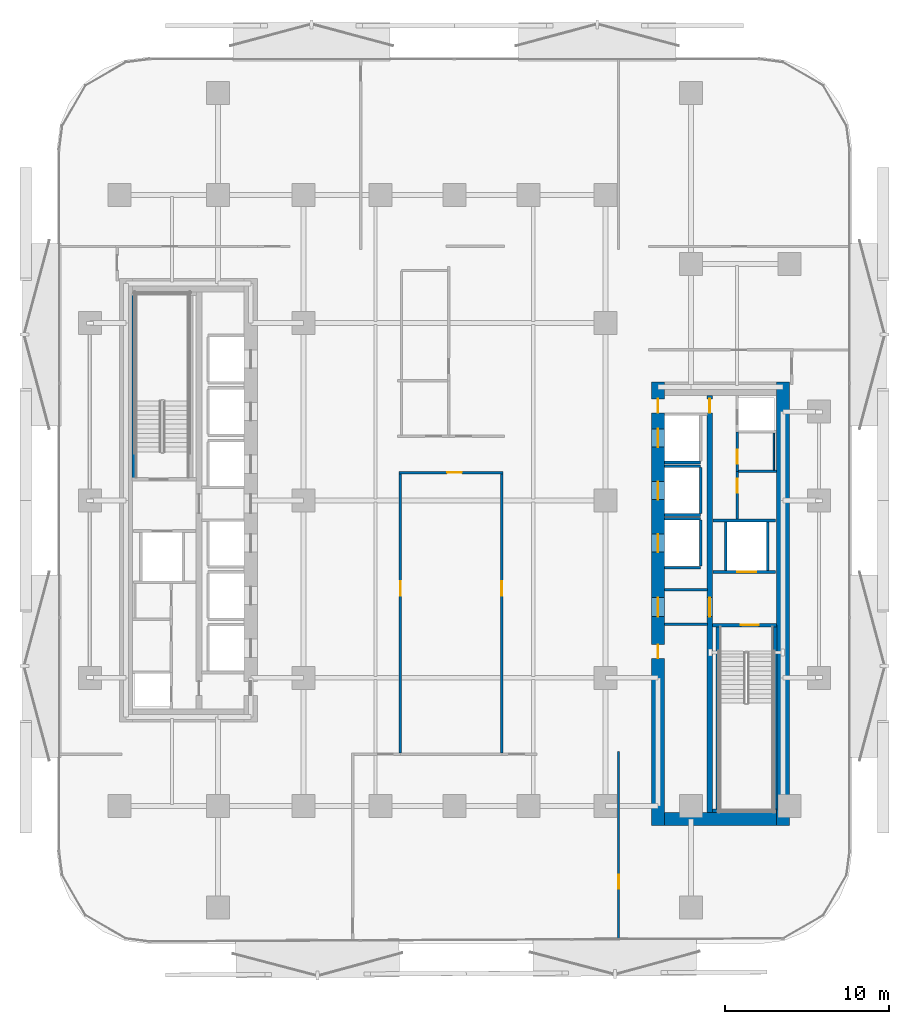
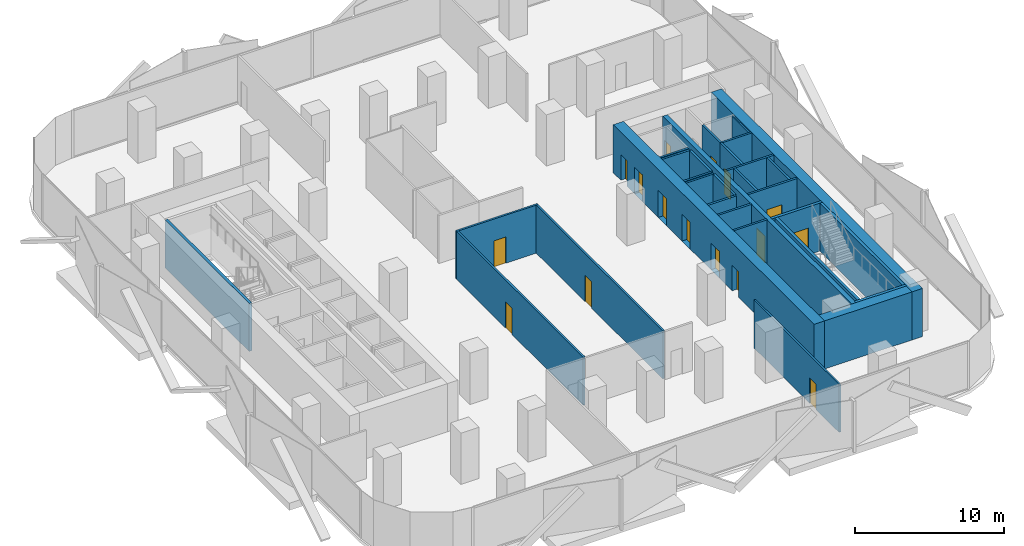
# One storey, part 4 of 15: 30 walls, 16 doors, 16 openings.
"""IFC4 building model written with IfcOpenShell, lengths in metres."""

from ifc_helpers import new_model, si_unit, direction, frame, frame_2d, origin, place, context, subcontext, project, spatial, rectangle, extrude, material, layer, layer_set, type_object, element, fill, save


model = new_model("IFC4")

# Units and contexts
model_context = context("Model", 3, precision=1e-05, world=origin(), true_north=direction((0.0, 1.0)))
body_context = subcontext(model_context, "Body", "Model", "MODEL_VIEW")
ifc_project = project(units=[si_unit("LENGTHUNIT", "METRE"), si_unit("AREAUNIT", "SQUARE_METRE"), si_unit("VOLUMEUNIT", "CUBIC_METRE"), si_unit("PLANEANGLEUNIT", "RADIAN"), si_unit("MASSUNIT", "GRAM", prefix="KILO")], contexts=[model_context])

# Site, building, storey
site_placement = place(None, origin())
site = spatial("IfcSite", under=ifc_project, at=site_placement, CompositionType="ELEMENT")
building_placement = place(site_placement, origin())
building = spatial("IfcBuilding", under=site, at=building_placement, Name="Khairoan Windgate Tower", CompositionType="ELEMENT")
storey_placement = place(building_placement, frame((0.0, 0.0, 38.60009765625)))
storey = spatial("IfcBuildingStorey", under=building, at=storey_placement, Name="L09", CompositionType="ELEMENT", Elevation=38.60009765625)

# Walls
ifc_material_1 = material(Name="Moisture-Resistant Gypsum Partition", Category="gypsum")
ifc_layer_1 = layer(ifc_material_1, 0.10009765625, Name="Moisture-Resistant Gypsum Partition")
ifc_layer_set_1 = layer_set([ifc_layer_1], Name="Moisture-Resistant Gypsum Partition")
wall_type_1 = type_object("IfcWallType", Name="Bathroom Wet-Area Partition Wall", PredefinedType="PARTITIONING", material=ifc_layer_set_1)
wall_1_placement = place(storey_placement, frame((19.449951171875, 4.090087890625, 0.0), z_axis=(0.0, 0.0, 1.0), x_axis=(0.0, -1.0, 0.0)))
element("IfcWall", 1, at=wall_1_placement, inside=storey, type_object=wall_type_1, Name="L09 Wet Room Side Wall 037", PredefinedType="PARTITIONING", context=body_context, shape_type="SweptSolid", body=[
    extrude(rectangle(XDim=2.239990234375, YDim=0.10009765625, at=frame_2d((1.1201171875, 0.0))), origin(), (0.0, 0.0, 1.0), 3.93994140625),
])
ifc_material_2 = material(Name="Concrete C40/50", Category="concrete")
ifc_layer_2 = layer(ifc_material_2, 0.159912109375, Name="Concrete C40/50")
ifc_layer_set_2 = layer_set([ifc_layer_2], Name="Concrete C40/50")
wall_type_2 = type_object("IfcWallType", Name="Core and Hoistway Enclosure Wall", PredefinedType="STANDARD", material=ifc_layer_set_2)
for number, where, z_axis, x_axis, name in (
    (2, (12.800048828125, 2.31005859375, 0.0), (0.0, 0.0, 1.0), (1.0, 0.0, 0.0), "L09 Lift PL7 Hoistway Divider S"),
    (3, (12.800048828125, -0.889892578125, 0.0), (0.0, 0.0, 1.0), (1.0, 0.0, 0.0), "L09 Lift PL8 Hoistway Divider S"),
    (4, (12.800048828125, 2.090087890625, 0.0), (0.0, 0.0, 1.0), (1.0, 0.0, 0.0), "L09 Lift PL8 Hoistway Divider N"),
):
    element("IfcWall", number, at=place(storey_placement, frame(where, z_axis=z_axis, x_axis=x_axis)), inside=storey, type_object=wall_type_2, Name=name, PredefinedType="STANDARD", context=body_context, shape_type="SweptSolid", body=[
        extrude(rectangle(XDim=2.18994140625, YDim=0.159912109375, at=frame_2d((1.094970703125, 0.0))), origin(), (0.0, 0.0, 1.0), 3.93994140625),
    ])
wall_2_placement = place(storey_placement, frame((14.989990234375, -0.800048828125, 0.0), z_axis=(0.0, 0.0, 1.0), x_axis=(0.0, 1.0, 0.0)))
element("IfcWall", 5, at=wall_2_placement, inside=storey, type_object=wall_type_2, Name="L09 Lift PL8 Hoistway Back Wall", PredefinedType="STANDARD", context=body_context, shape_type="SweptSolid", body=[
    extrude(rectangle(XDim=2.800048828125, YDim=0.159912109375, at=frame_2d((1.39990234375, 0.0))), origin(), (0.0, 0.0, 1.0), 3.93994140625),
])
for number, where, z_axis, x_axis, name in (
    (6, (12.800048828125, -4.090087890625, 0.0), (0.0, 0.0, 1.0), (1.0, 0.0, 0.0), "L09 Lift PL9 Hoistway Divider S"),
    (7, (12.800048828125, -1.110107421875, 0.0), (0.0, 0.0, 1.0), (1.0, 0.0, 0.0), "L09 Lift PL9 Hoistway Divider N"),
):
    element("IfcWall", number, at=place(storey_placement, frame(where, z_axis=z_axis, x_axis=x_axis)), inside=storey, type_object=wall_type_2, Name=name, PredefinedType="STANDARD", context=body_context, shape_type="SweptSolid", body=[
        extrude(rectangle(XDim=2.18994140625, YDim=0.159912109375, at=frame_2d((1.094970703125, 0.0))), origin(), (0.0, 0.0, 1.0), 3.93994140625),
    ])
wall_3_placement = place(storey_placement, frame((14.989990234375, -4.0, 0.0), z_axis=(0.0, 0.0, 1.0), x_axis=(0.0, 1.0, 0.0)))
element("IfcWall", 8, at=wall_3_placement, inside=storey, type_object=wall_type_2, Name="L09 Lift PL9 Hoistway Back Wall", PredefinedType="STANDARD", context=body_context, shape_type="SweptSolid", body=[
    extrude(rectangle(XDim=2.800048828125, YDim=0.159912109375, at=frame_2d((1.39990234375, 0.0))), origin(), (0.0, 0.0, 1.0), 3.93994140625),
])

# Wall, opening, door
wall_4_placement = place(storey_placement, frame((15.75, -4.360107421875, 0.0), z_axis=(0.0, 0.0, 1.0), x_axis=(1.0, 0.0, 0.0)))
wall_4 = element("IfcWall", 9, at=wall_4_placement, inside=storey, type_object=wall_type_2, Name="L09 Core Shaft Wall SW-FL1-L09", PredefinedType="STANDARD", context=body_context, shape_type="SweptSolid", body=[
    extrude(rectangle(XDim=3.800048828125, YDim=0.159912109375, at=frame_2d((1.89990234375, 0.0))), origin(), (0.0, 0.0, 1.0), 3.93994140625),
])
opening_1_placement = place(wall_4_placement, frame((1.469970703125, 0.0, 0.0)))
opening_1 = element("IfcOpeningElement", 10, at=opening_1_placement, cuts=wall_4, Name="Opening LD-FL", PredefinedType="OPENING", context=body_context, shape_type="SweptSolid", body=[
    extrude(rectangle(XDim=1.14990234375, YDim=2.199951171875, at=frame_2d((0.574951171875, 1.10009765625))), frame((0.0, 0.08984375, 0.0), z_axis=(0.0, -1.0, 0.0), x_axis=(1.0, 0.0, 0.0)), (0.0, 0.0, 1.0), 0.179931640625),
])
ifc_material_3 = material(Name="Steel S355", Category="steel")
door_type_1 = type_object("IfcDoorType", Name="Firefighting Lift Sliding Landing Door LD-FL 1150x2200", OperationType="DOUBLE_DOOR_SLIDING", PredefinedType="DOOR", material=ifc_material_3)
door_1_placement = place(opening_1_placement, origin())
door_1 = element("IfcDoor", 11, at=door_1_placement, inside=storey, type_object=door_type_1, Name="L09 Firefighting Lift FL1 Landing Door", OperationType="DOUBLE_DOOR_SLIDING", OverallHeight=2.199951171875, OverallWidth=1.14990234375, PredefinedType="DOOR", context=body_context, shape_type="SweptSolid", body=[
    extrude(rectangle(XDim=1.14990234375, YDim=2.199951171875, at=frame_2d((0.574951171875, 1.10009765625))), frame((0.0, 0.02490234375, 0.0), z_axis=(0.0, -1.0, 0.0), x_axis=(1.0, 0.0, 0.0)), (0.0, 0.0, 1.0), 0.050048828125),
])
fill(opening_1, door_1)

# Walls
wall_5_placement = place(storey_placement, frame((15.75, -1.219970703125, 0.0), z_axis=(0.0, 0.0, 1.0), x_axis=(1.0, 0.0, 0.0)))
element("IfcWall", 12, at=wall_5_placement, inside=storey, type_object=wall_type_2, Name="L09 Core Shaft Wall SW-FL1T-L09", PredefinedType="STANDARD", context=body_context, shape_type="SweptSolid", body=[
    extrude(rectangle(XDim=3.800048828125, YDim=0.159912109375, at=frame_2d((1.89990234375, 0.0))), origin(), (0.0, 0.0, 1.0), 3.93994140625),
])
for number, where, z_axis, x_axis, name in (
    (13, (16.52001953125, -4.280029296875, 0.0), (0.0, 0.0, 1.0), (0.0, 1.0, 0.0), "L09 Core Shaft Wall SW-FL1W-L09"),
    (14, (19.080078125, -4.280029296875, 0.0), (0.0, 0.0, 1.0), (0.0, 1.0, 0.0), "L09 Core Shaft Wall SW-FL1E-L09"),
):
    element("IfcWall", number, at=place(storey_placement, frame(where, z_axis=z_axis, x_axis=x_axis)), inside=storey, type_object=wall_type_2, Name=name, PredefinedType="STANDARD", context=body_context, shape_type="SweptSolid", body=[
        extrude(rectangle(XDim=2.97998046875, YDim=0.159912109375, at=frame_2d((1.489990234375, 0.0))), origin(), (0.0, 0.0, 1.0), 3.93994140625),
    ])
for number, where, z_axis, x_axis, name in (
    (15, (12.800048828125, -5.449951171875, 0.0), (0.0, 0.0, 1.0), (1.0, 0.0, 0.0), "L09 Core Shaft Wall SW-EV1-L09"),
    (16, (12.800048828125, -7.5400390625, 0.0), (0.0, 0.0, 1.0), (1.0, 0.0, 0.0), "L09 Core Shaft Wall SW-EV2-L09"),
):
    element("IfcWall", number, at=place(storey_placement, frame(where, z_axis=z_axis, x_axis=x_axis)), inside=storey, type_object=wall_type_2, Name=name, PredefinedType="STANDARD", context=body_context, shape_type="SweptSolid", body=[
        extrude(rectangle(XDim=2.599853515625, YDim=0.159912109375, at=frame_2d((1.2998046875, 0.0))), origin(), (0.0, 0.0, 1.0), 3.93994140625),
    ])

# Wall, opening, door
ifc_material_4 = material(Name="Acoustic Fire-Rated Gypsum Partition", Category="gypsum")
ifc_layer_3 = layer(ifc_material_4, 0.139892578125, Name="Acoustic Fire-Rated Gypsum Partition")
ifc_layer_set_3 = layer_set([ifc_layer_3], Name="Acoustic Fire-Rated Gypsum Partition")
wall_type_3 = type_object("IfcWallType", Name="Inter-Tenancy Compartment Wall", PredefinedType="PARTITIONING", material=ifc_layer_set_3)
wall_6_placement = place(storey_placement, frame((9.99609375, -26.71630859375, 0.0), z_axis=(0.0, 0.0, 1.0), x_axis=(0.0, 1.0, 0.0)))
wall_6 = element("IfcWall", 17, at=wall_6_placement, inside=storey, type_object=wall_type_3, Name="L09 Interior Partition 031", PredefinedType="PARTITIONING", context=body_context, shape_type="SweptSolid", body=[
    extrude(rectangle(XDim=11.436279296875, YDim=0.139892578125, at=frame_2d((5.71826171875, 0.0))), origin(), (0.0, 0.0, 1.0), 3.93994140625),
])
opening_2_placement = place(wall_6_placement, frame((3.077880859375, 0.0, 0.0)))
opening_2 = element("IfcOpeningElement", 18, at=opening_2_placement, cuts=wall_6, Name="Opening FD-SRV", PredefinedType="OPENING", context=body_context, shape_type="SweptSolid", body=[
    extrude(rectangle(XDim=0.85009765625, YDim=2.10009765625, at=frame_2d((0.425048828125, 1.050048828125))), frame((0.0, 0.079833984375, 0.0), z_axis=(0.0, -1.0, 0.0), x_axis=(1.0, 0.0, 0.0)), (0.0, 0.0, 1.0), 0.159912109375),
])
ifc_material_5 = material(Name="Steel S355", Category="steel")
door_type_2 = type_object("IfcDoorType", Name="Core Service and Riser Fire Door FD-SRV 850x2100", OperationType="NOTDEFINED", PredefinedType="DOOR", material=ifc_material_5)
door_2_placement = place(opening_2_placement, origin())
door_2 = element("IfcDoor", 19, at=door_2_placement, inside=storey, type_object=door_type_2, Name="L09 L09-43-L09-44 Door", OperationType="SINGLE_SWING_RIGHT", OverallHeight=2.10009765625, OverallWidth=0.85009765625, PredefinedType="DOOR", context=body_context, shape_type="SweptSolid", body=[
    extrude(rectangle(XDim=0.85009765625, YDim=2.10009765625, at=frame_2d((0.425048828125, 1.050048828125))), frame((0.0, 0.02490234375, 0.0), z_axis=(0.0, -1.0, 0.0), x_axis=(1.0, 0.0, 0.0)), (0.0, 0.0, 1.0), 0.050048828125),
])
fill(opening_2, door_2)

ifc_material_6 = material(Name="Concrete C40/50", Category="concrete")
ifc_layer_4 = layer(ifc_material_6, 0.159912109375, Name="Concrete C40/50")
ifc_layer_set_4 = layer_set([ifc_layer_4], Name="Concrete C40/50")
wall_type_4 = type_object("IfcWallType", Name="Plant and Refuge Compartment Wall", PredefinedType="PARTITIONING", material=ifc_layer_set_4)
wall_7_placement = place(storey_placement, frame((17.22998046875, 1.77001953125, 0.0), z_axis=(0.0, 0.0, 1.0), x_axis=(0.0, 1.0, 0.0)))
wall_7 = element("IfcWall", 20, at=wall_7_placement, inside=storey, type_object=wall_type_4, Name="L09 Interior Partition 007", PredefinedType="PARTITIONING", context=body_context, shape_type="SweptSolid", body=[
    extrude(rectangle(XDim=2.39990234375, YDim=0.159912109375, at=frame_2d((1.199951171875, 0.0))), origin(), (0.0, 0.0, 1.0), 3.93994140625),
])
opening_3_placement = place(wall_7_placement, frame((0.4599609375, 0.0, 0.0)))
opening_3 = element("IfcOpeningElement", 21, at=opening_3_placement, cuts=wall_7, Name="Opening FD-SRV", PredefinedType="OPENING", context=body_context, shape_type="SweptSolid", body=[
    extrude(rectangle(XDim=0.85009765625, YDim=2.10009765625, at=frame_2d((0.425048828125, 1.050048828125))), frame((0.0, 0.08984375, 0.0), z_axis=(0.0, -1.0, 0.0), x_axis=(1.0, 0.0, 0.0)), (0.0, 0.0, 1.0), 0.179931640625),
])
door_3_placement = place(opening_3_placement, origin())
door_3 = element("IfcDoor", 22, at=door_3_placement, inside=storey, type_object=door_type_2, Name="L09 L09-19-L09-21 Door", OperationType="SINGLE_SWING_RIGHT", OverallHeight=2.10009765625, OverallWidth=0.85009765625, PredefinedType="DOOR", context=body_context, shape_type="SweptSolid", body=[
    extrude(rectangle(XDim=0.85009765625, YDim=2.10009765625, at=frame_2d((0.425048828125, 1.050048828125))), frame((0.0, 0.02490234375, 0.0), z_axis=(0.0, -1.0, 0.0), x_axis=(1.0, 0.0, 0.0)), (0.0, 0.0, 1.0), 0.050048828125),
])
fill(opening_3, door_3)

wall_8_placement = place(storey_placement, frame((17.22998046875, -1.139892578125, 0.0), z_axis=(0.0, 0.0, 1.0), x_axis=(0.0, 1.0, 0.0)))
wall_8 = element("IfcWall", 23, at=wall_8_placement, inside=storey, type_object=wall_type_4, Name="L09 Interior Partition 008", PredefinedType="PARTITIONING", context=body_context, shape_type="SweptSolid", body=[
    extrude(rectangle(XDim=2.909912109375, YDim=0.159912109375, at=frame_2d((1.455078125, 0.0))), origin(), (0.0, 0.0, 1.0), 3.93994140625),
])
opening_4_placement = place(wall_8_placement, frame((1.60009765625, 0.0, 0.0)))
opening_4 = element("IfcOpeningElement", 24, at=opening_4_placement, cuts=wall_8, Name="Opening FD-SRV", PredefinedType="OPENING", context=body_context, shape_type="SweptSolid", body=[
    extrude(rectangle(XDim=0.85009765625, YDim=2.10009765625, at=frame_2d((0.425048828125, 1.050048828125))), frame((0.0, 0.08984375, 0.0), z_axis=(0.0, -1.0, 0.0), x_axis=(1.0, 0.0, 0.0)), (0.0, 0.0, 1.0), 0.179931640625),
])
door_4_placement = place(opening_4_placement, origin())
door_4 = element("IfcDoor", 25, at=door_4_placement, inside=storey, type_object=door_type_2, Name="L09 L09-19-L09-22 Door", OperationType="SINGLE_SWING_LEFT", OverallHeight=2.10009765625, OverallWidth=0.85009765625, PredefinedType="DOOR", context=body_context, shape_type="SweptSolid", body=[
    extrude(rectangle(XDim=0.85009765625, YDim=2.10009765625, at=frame_2d((0.425048828125, 1.050048828125))), frame((0.0, 0.02490234375, 0.0), z_axis=(0.0, -1.0, 0.0), x_axis=(1.0, 0.0, 0.0)), (0.0, 0.0, 1.0), 0.050048828125),
])
fill(opening_4, door_4)

# Wall
wall_9_placement = place(storey_placement, frame((17.31005859375, 1.77001953125, 0.0), z_axis=(0.0, 0.0, 1.0), x_axis=(1.0, 0.0, 0.0)))
element("IfcWall", 26, at=wall_9_placement, inside=storey, type_object=wall_type_4, Name="L09 Interior Partition 010", PredefinedType="PARTITIONING", context=body_context, shape_type="SweptSolid", body=[
    extrude(rectangle(XDim=2.2900390625, YDim=0.159912109375, at=frame_2d((1.14501953125, 0.0))), origin(), (0.0, 0.0, 1.0), 3.93994140625),
])

# Wall, opening, door
ifc_material_7 = material(Name="Acoustic Fire-Rated Gypsum Partition", Category="gypsum")
ifc_layer_5 = layer(ifc_material_7, 0.14990234375, Name="Acoustic Fire-Rated Gypsum Partition")
ifc_layer_set_5 = layer_set([ifc_layer_5], Name="Acoustic Fire-Rated Gypsum Partition")
wall_type_5 = type_object("IfcWallType", Name="Rated Corridor Partition Wall", PredefinedType="PARTITIONING", material=ifc_layer_set_5)
wall_10_placement = place(storey_placement, frame((-3.360107421875, 1.695068359375, 0.0), z_axis=(0.0, 0.0, 1.0), x_axis=(1.0, 0.0, 0.0)))
wall_10 = element("IfcWall", 27, at=wall_10_placement, inside=storey, type_object=wall_type_5, Name="L09 Interior Partition 014", PredefinedType="PARTITIONING", context=body_context, shape_type="SweptSolid", body=[
    extrude(rectangle(XDim=6.320068359375, YDim=0.14990234375, at=frame_2d((3.16015625, 0.0))), origin(), (0.0, 0.0, 1.0), 3.93994140625),
])
opening_5_placement = place(wall_10_placement, frame((2.91455078125, 0.0, 0.0)))
opening_5 = element("IfcOpeningElement", 28, at=opening_5_placement, cuts=wall_10, Name="Opening FD-ENT", PredefinedType="OPENING", context=body_context, shape_type="SweptSolid", body=[
    extrude(rectangle(XDim=0.89990234375, YDim=2.14990234375, at=frame_2d((0.449951171875, 1.074951171875))), frame((0.0, 0.0849609375, 0.0), z_axis=(0.0, -1.0, 0.0), x_axis=(1.0, 0.0, 0.0)), (0.0, 0.0, 1.0), 0.169921875),
])
ifc_material_8 = material(Name="Timber Fire-Rated Core", Category="wood")
door_type_3 = type_object("IfcDoorType", Name="Unit and Office Fire Entrance Door FD-ENT 900x2150", OperationType="NOTDEFINED", PredefinedType="DOOR", material=ifc_material_8)
door_5_placement = place(opening_5_placement, origin())
door_5 = element("IfcDoor", 29, at=door_5_placement, inside=storey, type_object=door_type_3, Name="L09 L09-31-L09-48 Door", OperationType="SINGLE_SWING_LEFT", OverallHeight=2.14990234375, OverallWidth=0.89990234375, PredefinedType="DOOR", context=body_context, shape_type="SweptSolid", body=[
    extrude(rectangle(XDim=0.89990234375, YDim=2.14990234375, at=frame_2d((0.449951171875, 1.074951171875))), frame((0.0, 0.02490234375, 0.0), z_axis=(0.0, -1.0, 0.0), x_axis=(1.0, 0.0, 0.0)), (0.0, 0.0, 1.0), 0.050048828125),
])
fill(opening_5, door_5)

wall_11_placement = place(storey_placement, frame((-3.284912109375, -15.385009765625, 0.0), z_axis=(0.0, 0.0, 1.0), x_axis=(0.0, 1.0, 0.0)))
wall_11 = element("IfcWall", 30, at=wall_11_placement, inside=storey, type_object=wall_type_5, Name="L09 Interior Partition 016", PredefinedType="PARTITIONING", context=body_context, shape_type="SweptSolid", body=[
    extrude(rectangle(XDim=17.005126953125, YDim=0.14990234375, at=frame_2d((8.50244140625, 0.0))), origin(), (0.0, 0.0, 1.0), 3.93994140625),
])
opening_6_placement = place(wall_11_placement, frame((9.571044921875, 0.0, 0.0)))
opening_6 = element("IfcOpeningElement", 31, at=opening_6_placement, cuts=wall_11, Name="Opening FD-ENT", PredefinedType="OPENING", context=body_context, shape_type="SweptSolid", body=[
    extrude(rectangle(XDim=0.89990234375, YDim=2.14990234375, at=frame_2d((0.449951171875, 1.074951171875))), frame((0.0, 0.0849609375, 0.0), z_axis=(0.0, -1.0, 0.0), x_axis=(1.0, 0.0, 0.0)), (0.0, 0.0, 1.0), 0.169921875),
])
door_6_placement = place(opening_6_placement, origin())
door_6 = element("IfcDoor", 32, at=door_6_placement, inside=storey, type_object=door_type_3, Name="L09 L09-32-L09-48 Door", OperationType="SINGLE_SWING_LEFT", OverallHeight=2.14990234375, OverallWidth=0.89990234375, PredefinedType="DOOR", context=body_context, shape_type="SweptSolid", body=[
    extrude(rectangle(XDim=0.89990234375, YDim=2.14990234375, at=frame_2d((0.449951171875, 1.074951171875))), frame((0.0, 0.02490234375, 0.0), z_axis=(0.0, -1.0, 0.0), x_axis=(1.0, 0.0, 0.0)), (0.0, 0.0, 1.0), 0.050048828125),
])
fill(opening_6, door_6)

wall_12_placement = place(storey_placement, frame((2.885009765625, -15.385009765625, 0.0), z_axis=(0.0, 0.0, 1.0), x_axis=(0.0, 1.0, 0.0)))
wall_12 = element("IfcWall", 33, at=wall_12_placement, inside=storey, type_object=wall_type_5, Name="L09 Interior Partition 018", PredefinedType="PARTITIONING", context=body_context, shape_type="SweptSolid", body=[
    extrude(rectangle(XDim=17.005126953125, YDim=0.14990234375, at=frame_2d((8.50244140625, 0.0))), origin(), (0.0, 0.0, 1.0), 3.93994140625),
])
opening_7_placement = place(wall_12_placement, frame((9.571044921875, 0.0, 0.0)))
opening_7 = element("IfcOpeningElement", 34, at=opening_7_placement, cuts=wall_12, Name="Opening FD-ENT", PredefinedType="OPENING", context=body_context, shape_type="SweptSolid", body=[
    extrude(rectangle(XDim=0.89990234375, YDim=2.14990234375, at=frame_2d((0.449951171875, 1.074951171875))), frame((0.0, 0.0849609375, 0.0), z_axis=(0.0, -1.0, 0.0), x_axis=(1.0, 0.0, 0.0)), (0.0, 0.0, 1.0), 0.169921875),
])
door_7_placement = place(opening_7_placement, origin())
door_7 = element("IfcDoor", 35, at=door_7_placement, inside=storey, type_object=door_type_3, Name="L09 L09-33-L09-48 Door", OperationType="SINGLE_SWING_LEFT", OverallHeight=2.14990234375, OverallWidth=0.89990234375, PredefinedType="DOOR", context=body_context, shape_type="SweptSolid", body=[
    extrude(rectangle(XDim=0.89990234375, YDim=2.14990234375, at=frame_2d((0.449951171875, 1.074951171875))), frame((0.0, 0.02490234375, 0.0), z_axis=(0.0, -1.0, 0.0), x_axis=(1.0, 0.0, 0.0)), (0.0, 0.0, 1.0), 0.050048828125),
])
fill(opening_7, door_7)

# Wall, openings, doors
ifc_material_9 = material(Name="Concrete C70/85", Category="concrete")
ifc_layer_6 = layer(ifc_material_9, 0.800048828125, Name="Concrete C70/85")
ifc_layer_set_6 = layer_set([ifc_layer_6], Name="Concrete C70/85")
wall_type_6 = type_object("IfcWallType", Name="Shear Wall CW-E1 800mm", PredefinedType="SHEAR", material=ifc_layer_set_6)
wall_13_placement = place(storey_placement, frame((12.39990234375, -19.800048828125, 0.0), z_axis=(0.0, 0.0, 1.0), x_axis=(0.0, 1.0, 0.0)))
wall_13 = element("IfcWall", 36, at=wall_13_placement, inside=storey, type_object=wall_type_6, Name="E Core West Shear Wall L09", PredefinedType="SHEAR", context=body_context, shape_type="SweptSolid", body=[
    extrude(rectangle(XDim=27.0, YDim=0.800048828125, at=frame_2d((13.5, 0.0))), origin(), (0.0, 0.0, 1.0), 3.93994140625),
])
opening_8_placement = place(wall_13_placement, frame((23.050048828125, 0.0, 0.0)))
opening_8 = element("IfcOpeningElement", 37, at=opening_8_placement, cuts=wall_13, Name="Opening LD-PL", PredefinedType="OPENING", context=body_context, shape_type="SweptSolid", body=[
    extrude(rectangle(XDim=1.10009765625, YDim=2.199951171875, at=frame_2d((0.550048828125, 1.10009765625))), frame((0.0, 0.409912109375, 0.0), z_axis=(0.0, -1.0, 0.0), x_axis=(1.0, 0.0, 0.0)), (0.0, 0.0, 1.0), 0.820068359375),
])
opening_9_placement = place(wall_13_placement, frame((19.85009765625, 0.0, 0.0)))
opening_9 = element("IfcOpeningElement", 38, at=opening_9_placement, cuts=wall_13, Name="Opening LD-PL", PredefinedType="OPENING", context=body_context, shape_type="SweptSolid", body=[
    extrude(rectangle(XDim=1.10009765625, YDim=2.199951171875, at=frame_2d((0.550048828125, 1.10009765625))), frame((0.0, 0.409912109375, 0.0), z_axis=(0.0, -1.0, 0.0), x_axis=(1.0, 0.0, 0.0)), (0.0, 0.0, 1.0), 0.820068359375),
])
opening_10_placement = place(wall_13_placement, frame((16.64990234375, 0.0, 0.0)))
opening_10 = element("IfcOpeningElement", 39, at=opening_10_placement, cuts=wall_13, Name="Opening LD-PL", PredefinedType="OPENING", context=body_context, shape_type="SweptSolid", body=[
    extrude(rectangle(XDim=1.10009765625, YDim=2.199951171875, at=frame_2d((0.550048828125, 1.10009765625))), frame((0.0, 0.409912109375, 0.0), z_axis=(0.0, -1.0, 0.0), x_axis=(1.0, 0.0, 0.0)), (0.0, 0.0, 1.0), 0.820068359375),
])
opening_11_placement = place(wall_13_placement, frame((10.175048828125, 0.0, 0.0)))
opening_11 = element("IfcOpeningElement", 40, at=opening_11_placement, cuts=wall_13, Name="Opening FD-SRV", PredefinedType="OPENING", context=body_context, shape_type="SweptSolid", body=[
    extrude(rectangle(XDim=0.85009765625, YDim=2.10009765625, at=frame_2d((0.425048828125, 1.050048828125))), frame((0.0, 0.409912109375, 0.0), z_axis=(0.0, -1.0, 0.0), x_axis=(1.0, 0.0, 0.0)), (0.0, 0.0, 1.0), 0.820068359375),
])
opening_12_placement = place(wall_13_placement, frame((12.72509765625, 0.0, 0.0)))
opening_12 = element("IfcOpeningElement", 41, at=opening_12_placement, cuts=wall_13, Name="Opening FD-FFL", PredefinedType="OPENING", context=body_context, shape_type="SweptSolid", body=[
    extrude(rectangle(XDim=1.14990234375, YDim=2.199951171875, at=frame_2d((0.574951171875, 1.10009765625))), frame((0.0, 0.409912109375, 0.0), z_axis=(0.0, -1.0, 0.0), x_axis=(1.0, 0.0, 0.0)), (0.0, 0.0, 1.0), 0.820068359375),
])
opening_13_placement = place(wall_13_placement, frame((25.125, 0.0, 0.0)))
opening_13 = element("IfcOpeningElement", 42, at=opening_13_placement, cuts=wall_13, Name="Opening FD-SRV", PredefinedType="OPENING", context=body_context, shape_type="SweptSolid", body=[
    extrude(rectangle(XDim=0.85009765625, YDim=2.10009765625, at=frame_2d((0.425048828125, 1.050048828125))), frame((0.0, 0.409912109375, 0.0), z_axis=(0.0, -1.0, 0.0), x_axis=(1.0, 0.0, 0.0)), (0.0, 0.0, 1.0), 0.820068359375),
])
door_8_placement = place(opening_11_placement, origin())
door_8 = element("IfcDoor", 43, at=door_8_placement, inside=storey, type_object=door_type_2, Name="L09 East Core Service Room Door 1", OperationType="SINGLE_SWING_LEFT", OverallHeight=2.10009765625, OverallWidth=0.85009765625, PredefinedType="DOOR", context=body_context, shape_type="SweptSolid", body=[
    extrude(rectangle(XDim=0.85009765625, YDim=2.10009765625, at=frame_2d((0.425048828125, 1.050048828125))), frame((0.0, 0.02490234375, 0.0), z_axis=(0.0, -1.0, 0.0), x_axis=(1.0, 0.0, 0.0)), (0.0, 0.0, 1.0), 0.050048828125),
])
fill(opening_11, door_8)
door_9_placement = place(opening_13_placement, origin())
door_9 = element("IfcDoor", 44, at=door_9_placement, inside=storey, type_object=door_type_2, Name="L09 East Core Service Vestibule Outer Door", OperationType="SINGLE_SWING_RIGHT", OverallHeight=2.10009765625, OverallWidth=0.85009765625, PredefinedType="DOOR", context=body_context, shape_type="SweptSolid", body=[
    extrude(rectangle(XDim=0.85009765625, YDim=2.10009765625, at=frame_2d((0.425048828125, 1.050048828125))), frame((0.0, 0.02490234375, 0.0), z_axis=(0.0, -1.0, 0.0), x_axis=(1.0, 0.0, 0.0)), (0.0, 0.0, 1.0), 0.050048828125),
])
fill(opening_13, door_9)
ifc_material_10 = material(Name="Steel S355", Category="steel")
door_type_4 = type_object("IfcDoorType", Name="Firefighting Lobby Fire Door FD-FFL 1150x2200", OperationType="NOTDEFINED", PredefinedType="DOOR", material=ifc_material_10)
door_10_placement = place(opening_12_placement, origin())
door_10 = element("IfcDoor", 45, at=door_10_placement, inside=storey, type_object=door_type_4, Name="L09 East Core Vestibule Entry Door", OperationType="SINGLE_SWING_RIGHT", OverallHeight=2.199951171875, OverallWidth=1.14990234375, PredefinedType="DOOR", context=body_context, shape_type="SweptSolid", body=[
    extrude(rectangle(XDim=1.14990234375, YDim=2.199951171875, at=frame_2d((0.574951171875, 1.10009765625))), frame((0.0, 0.02490234375, 0.0), z_axis=(0.0, -1.0, 0.0), x_axis=(1.0, 0.0, 0.0)), (0.0, 0.0, 1.0), 0.050048828125),
])
fill(opening_12, door_10)
ifc_material_11 = material(Name="Anodised Bronze Aluminium 6063-T6", Category="aluminium")
door_type_5 = type_object("IfcDoorType", Name="Passenger Lift Sliding Landing Door LD-PL 1100x2200", OperationType="DOUBLE_DOOR_SLIDING", PredefinedType="DOOR", material=ifc_material_11)
door_11_placement = place(opening_8_placement, origin())
door_11 = element("IfcDoor", 46, at=door_11_placement, inside=storey, type_object=door_type_5, Name="L09 Lift PL7 Sliding Landing Door", OperationType="DOUBLE_DOOR_SLIDING", OverallHeight=2.199951171875, OverallWidth=1.10009765625, PredefinedType="DOOR", context=body_context, shape_type="SweptSolid", body=[
    extrude(rectangle(XDim=1.10009765625, YDim=2.199951171875, at=frame_2d((0.550048828125, 1.10009765625))), frame((0.0, 0.02490234375, 0.0), z_axis=(0.0, -1.0, 0.0), x_axis=(1.0, 0.0, 0.0)), (0.0, 0.0, 1.0), 0.050048828125),
])
fill(opening_8, door_11)
door_12_placement = place(opening_9_placement, origin())
door_12 = element("IfcDoor", 47, at=door_12_placement, inside=storey, type_object=door_type_5, Name="L09 Lift PL8 Sliding Landing Door", OperationType="DOUBLE_DOOR_SLIDING", OverallHeight=2.199951171875, OverallWidth=1.10009765625, PredefinedType="DOOR", context=body_context, shape_type="SweptSolid", body=[
    extrude(rectangle(XDim=1.10009765625, YDim=2.199951171875, at=frame_2d((0.550048828125, 1.10009765625))), frame((0.0, 0.02490234375, 0.0), z_axis=(0.0, -1.0, 0.0), x_axis=(1.0, 0.0, 0.0)), (0.0, 0.0, 1.0), 0.050048828125),
])
fill(opening_9, door_12)
door_13_placement = place(opening_10_placement, origin())
door_13 = element("IfcDoor", 48, at=door_13_placement, inside=storey, type_object=door_type_5, Name="L09 Lift PL9 Sliding Landing Door", OperationType="DOUBLE_DOOR_SLIDING", OverallHeight=2.199951171875, OverallWidth=1.10009765625, PredefinedType="DOOR", context=body_context, shape_type="SweptSolid", body=[
    extrude(rectangle(XDim=1.10009765625, YDim=2.199951171875, at=frame_2d((0.550048828125, 1.10009765625))), frame((0.0, 0.02490234375, 0.0), z_axis=(0.0, -1.0, 0.0), x_axis=(1.0, 0.0, 0.0)), (0.0, 0.0, 1.0), 0.050048828125),
])
fill(opening_10, door_13)

# Walls
wall_14_placement = place(storey_placement, frame((20.0, -19.800048828125, 0.0), z_axis=(0.0, 0.0, 1.0), x_axis=(0.0, 1.0, 0.0)))
element("IfcWall", 49, at=wall_14_placement, inside=storey, type_object=wall_type_6, Name="E Core East Shear Wall L09", PredefinedType="SHEAR", context=body_context, shape_type="SweptSolid", body=[
    extrude(rectangle(XDim=27.0, YDim=0.800048828125, at=frame_2d((13.5, 0.0))), origin(), (0.0, 0.0, 1.0), 3.93994140625),
])
wall_15_placement = place(storey_placement, frame((12.800048828125, -19.39990234375, 0.0), z_axis=(0.0, 0.0, 1.0), x_axis=(1.0, 0.0, 0.0)))
element("IfcWall", 50, at=wall_15_placement, inside=storey, type_object=wall_type_6, Name="E Core South Shear Wall L09", PredefinedType="SHEAR", context=body_context, shape_type="SweptSolid", body=[
    extrude(rectangle(XDim=6.800048828125, YDim=0.800048828125, at=frame_2d((3.39990234375, 0.0))), origin(), (0.0, 0.0, 1.0), 3.93994140625),
])

# Wall, openings, doors
ifc_material_12 = material(Name="Concrete C60/75", Category="concrete")
ifc_layer_7 = layer(ifc_material_12, 0.35009765625, Name="Concrete C60/75")
ifc_layer_set_7 = layer_set([ifc_layer_7], Name="Concrete C60/75")
wall_type_7 = type_object("IfcWallType", Name="Shear Wall SW-1 350mm", PredefinedType="SHEAR", material=ifc_layer_set_7)
wall_16_placement = place(storey_placement, frame((15.550048828125, -19.0, 0.0), z_axis=(0.0, 0.0, 1.0), x_axis=(0.0, 1.0, 0.0)))
wall_16 = element("IfcWall", 51, at=wall_16_placement, inside=storey, type_object=wall_type_7, Name="E Core Spine Shear Wall L09", PredefinedType="SHEAR", context=body_context, shape_type="SweptSolid", body=[
    extrude(rectangle(XDim=25.39990234375, YDim=0.35009765625, at=frame_2d((12.699951171875, 0.0))), origin(), (0.0, 0.0, 1.0), 3.93994140625),
])
opening_14_placement = place(wall_16_placement, frame((11.925048828125, 0.0, 0.0)))
opening_14 = element("IfcOpeningElement", 52, at=opening_14_placement, cuts=wall_16, Name="Opening FD-FFL", PredefinedType="OPENING", context=body_context, shape_type="SweptSolid", body=[
    extrude(rectangle(XDim=1.14990234375, YDim=2.199951171875, at=frame_2d((0.574951171875, 1.10009765625))), frame((0.0, 0.18505859375, 0.0), z_axis=(0.0, -1.0, 0.0), x_axis=(1.0, 0.0, 0.0)), (0.0, 0.0, 1.0), 0.3701171875),
])
opening_15_placement = place(wall_16_placement, frame((24.324951171875, 0.0, 0.0)))
opening_15 = element("IfcOpeningElement", 53, at=opening_15_placement, cuts=wall_16, Name="Opening FD-SRV", PredefinedType="OPENING", context=body_context, shape_type="SweptSolid", body=[
    extrude(rectangle(XDim=0.85009765625, YDim=2.10009765625, at=frame_2d((0.425048828125, 1.050048828125))), frame((0.0, 0.18505859375, 0.0), z_axis=(0.0, -1.0, 0.0), x_axis=(1.0, 0.0, 0.0)), (0.0, 0.0, 1.0), 0.3701171875),
])
door_14_placement = place(opening_15_placement, origin())
door_14 = element("IfcDoor", 54, at=door_14_placement, inside=storey, type_object=door_type_2, Name="L09 East Core Service Passage Inner Door", OperationType="SINGLE_SWING_LEFT", OverallHeight=2.10009765625, OverallWidth=0.85009765625, PredefinedType="DOOR", context=body_context, shape_type="SweptSolid", body=[
    extrude(rectangle(XDim=0.85009765625, YDim=2.10009765625, at=frame_2d((0.425048828125, 1.050048828125))), frame((0.0, 0.02490234375, 0.0), z_axis=(0.0, -1.0, 0.0), x_axis=(1.0, 0.0, 0.0)), (0.0, 0.0, 1.0), 0.050048828125),
])
fill(opening_15, door_14)
door_15_placement = place(opening_14_placement, origin())
door_15 = element("IfcDoor", 55, at=door_15_placement, inside=storey, type_object=door_type_4, Name="L09 East Firefighting Lobby Fire Door", OperationType="SINGLE_SWING_LEFT", OverallHeight=2.199951171875, OverallWidth=1.14990234375, PredefinedType="DOOR", context=body_context, shape_type="SweptSolid", body=[
    extrude(rectangle(XDim=1.14990234375, YDim=2.199951171875, at=frame_2d((0.574951171875, 1.10009765625))), frame((0.0, 0.02490234375, 0.0), z_axis=(0.0, -1.0, 0.0), x_axis=(1.0, 0.0, 0.0)), (0.0, 0.0, 1.0), 0.050048828125),
])
fill(opening_14, door_15)

# Walls
ifc_material_13 = material(Name="Concrete C50/60", Category="concrete")
ifc_layer_8 = layer(ifc_material_13, 0.219970703125, Name="Concrete C50/60")
ifc_layer_set_8 = layer_set([ifc_layer_8], Name="Concrete C50/60")
wall_type_8 = type_object("IfcWallType", Name="Shear Wall SW-ST 220mm", PredefinedType="SHEAR", material=ifc_layer_set_8)
for number, where, z_axis, x_axis, name in (
    (56, (16.0400390625, -18.889892578125, 0.0), (0.0, 0.0, 1.0), (0.0, 1.0, 0.0), "L09 Stair ST1 West Bearing Wall"),
    (57, (19.530029296875, -18.889892578125, 0.0), (0.0, 0.0, 1.0), (0.0, 1.0, 0.0), "L09 Stair ST1 East Bearing Wall"),
):
    element("IfcWall", number, at=place(storey_placement, frame(where, z_axis=z_axis, x_axis=x_axis)), inside=storey, type_object=wall_type_8, Name=name, PredefinedType="SHEAR", context=body_context, shape_type="SweptSolid", body=[
        extrude(rectangle(XDim=11.2998046875, YDim=0.219970703125, at=frame_2d((5.64990234375, 0.0))), origin(), (0.0, 0.0, 1.0), 3.93994140625),
    ])
wall_17_placement = place(storey_placement, frame((15.705078125, -18.889892578125, 0.0), z_axis=(0.0, 0.0, 1.0), x_axis=(1.0, 0.0, 0.0)))
element("IfcWall", 58, at=wall_17_placement, inside=storey, type_object=wall_type_8, Name="L09 Stair ST1 South Bearing Wall", PredefinedType="SHEAR", context=body_context, shape_type="SweptSolid", body=[
    extrude(rectangle(XDim=3.9150390625, YDim=0.219970703125, at=frame_2d((1.95751953125, 0.0))), origin(), (0.0, 0.0, 1.0), 3.93994140625),
])

# Wall, opening, door
wall_18_placement = place(storey_placement, frame((19.6201171875, -7.590087890625, 0.0), z_axis=(0.0, 0.0, 1.0), x_axis=(-1.0, 0.0, 0.0)))
wall_18 = element("IfcWall", 59, at=wall_18_placement, inside=storey, type_object=wall_type_8, Name="L09 Stair ST1 North Bearing Wall", PredefinedType="SHEAR", context=body_context, shape_type="SweptSolid", body=[
    extrude(rectangle(XDim=3.9150390625, YDim=0.219970703125, at=frame_2d((1.95751953125, 0.0))), origin(), (0.0, 0.0, 1.0), 3.93994140625),
])
opening_16_placement = place(wall_18_placement, frame((1.080078125, 0.0, 0.0)))
opening_16 = element("IfcOpeningElement", 60, at=opening_16_placement, cuts=wall_18, Name="Opening FD-ST", PredefinedType="OPENING", context=body_context, shape_type="SweptSolid", body=[
    extrude(rectangle(XDim=1.10009765625, YDim=2.199951171875, at=frame_2d((0.550048828125, 1.10009765625))), frame((0.0, 0.119873046875, 0.0), z_axis=(0.0, -1.0, 0.0), x_axis=(1.0, 0.0, 0.0)), (0.0, 0.0, 1.0), 0.239990234375),
])
ifc_material_14 = material(Name="Steel S355", Category="steel")
door_type_6 = type_object("IfcDoorType", Name="Smokeproof Stair Fire Door FD-ST 1100x2200", OperationType="NOTDEFINED", PredefinedType="DOOR", material=ifc_material_14)
door_16_placement = place(opening_16_placement, origin())
door_16 = element("IfcDoor", 61, at=door_16_placement, inside=storey, type_object=door_type_6, Name="L09 Stair ST1 Fire Door", OperationType="SINGLE_SWING_LEFT", OverallHeight=2.199951171875, OverallWidth=1.10009765625, PredefinedType="DOOR", context=body_context, shape_type="SweptSolid", body=[
    extrude(rectangle(XDim=1.10009765625, YDim=2.199951171875, at=frame_2d((0.550048828125, 1.10009765625))), frame((0.0, 0.02490234375, 0.0), z_axis=(0.0, -1.0, 0.0), x_axis=(1.0, 0.0, 0.0)), (0.0, 0.0, 1.0), 0.050048828125),
])
fill(opening_16, door_16)

# Wall
wall_19_placement = place(storey_placement, frame((-19.530029296875, 1.2900390625, 0.0), z_axis=(0.0, 0.0, 1.0), x_axis=(0.0, 1.0, 0.0)))
element("IfcWall", 62, at=wall_19_placement, inside=storey, type_object=wall_type_8, Name="L09 Stair ST2 West Bearing Wall", PredefinedType="SHEAR", context=body_context, shape_type="SweptSolid", body=[
    extrude(rectangle(XDim=11.300048828125, YDim=0.219970703125, at=frame_2d((5.64990234375, 0.0))), origin(), (0.0, 0.0, 1.0), 3.93994140625),
])

save(model, "model.ifc")
